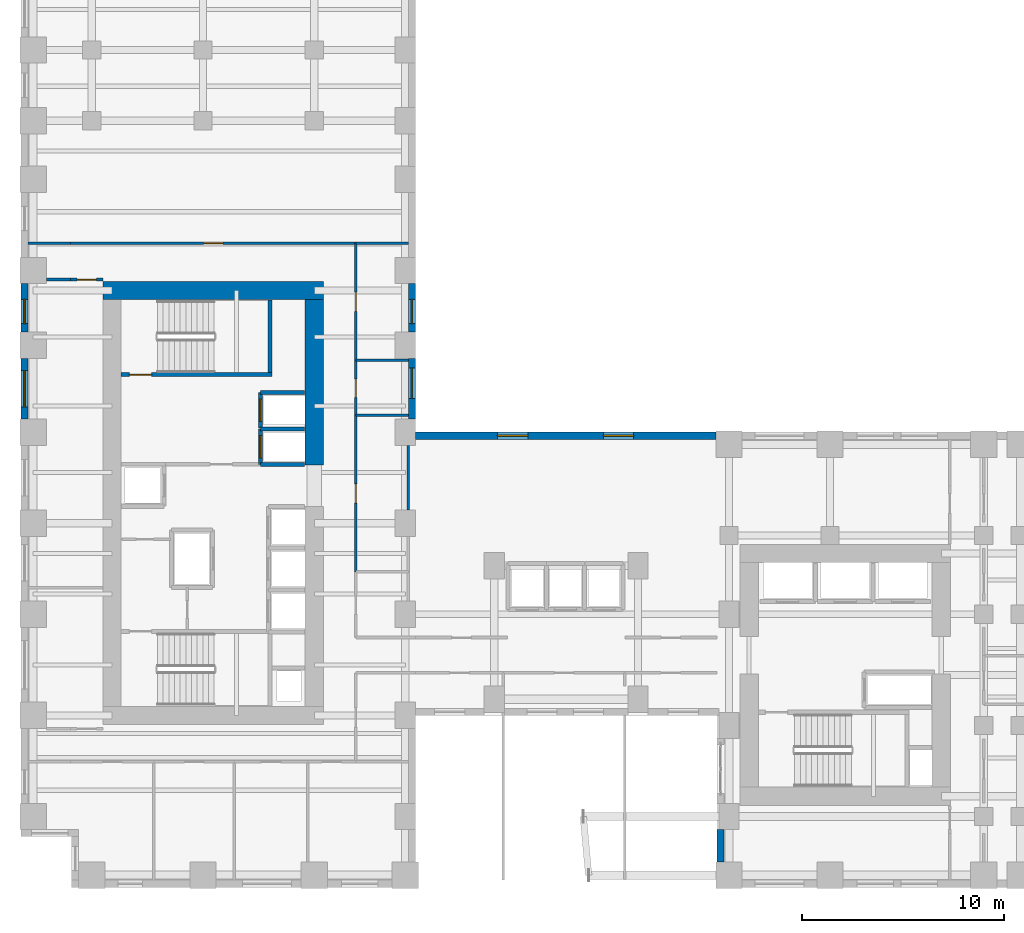
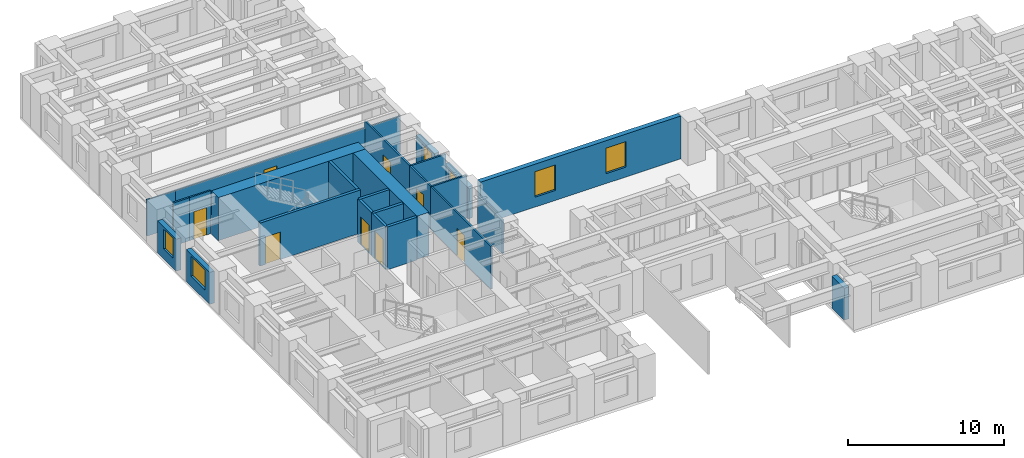
# One storey, part 9 of 14: 26 walls, 8 doors, 6 windows, 14 openings.
"""IFC4 building model written with IfcOpenShell, lengths in metres."""

from ifc_helpers import new_model, si_unit, direction, frame, frame_2d, origin, place, context, subcontext, project, spatial, rectangle, extrude, source, transform, mapped, material, layer, layer_set, type_object, element, fill, save


model = new_model("IFC4")

# Units and contexts
model_context = context("Model", 3, precision=1e-05, world=origin(), true_north=direction((0.0, 1.0)))
body_context = subcontext(model_context, "Body", "Model", "MODEL_VIEW")
ifc_project = project(units=[si_unit("LENGTHUNIT", "METRE"), si_unit("AREAUNIT", "SQUARE_METRE"), si_unit("VOLUMEUNIT", "CUBIC_METRE"), si_unit("PLANEANGLEUNIT", "RADIAN"), si_unit("MASSUNIT", "GRAM", prefix="KILO")], contexts=[model_context])

# Site, building, storey
site_placement = place(None, origin())
site = spatial("IfcSite", under=ifc_project, at=site_placement, CompositionType="ELEMENT")
building_placement = place(site_placement, origin())
building = spatial("IfcBuilding", under=site, at=building_placement, Name="Kharzan Plaza Tower", CompositionType="ELEMENT")
storey_placement = place(building_placement, frame((0.0, 0.0, 29.699951171875)))
storey = spatial("IfcBuildingStorey", under=building, at=storey_placement, Name="L07", CompositionType="ELEMENT", Elevation=29.699951171875)

# Wall, opening, window
ifc_material_1 = material(Name="Concrete C40/50", Category="concrete")
ifc_layer_1 = layer(ifc_material_1, 0.35009765625)
ifc_layer_set_1 = layer_set([ifc_layer_1], Name="Concrete C40/50")
wall_type_1 = type_object("IfcWallType", Name="WL-EXT-MAS-Z1", PredefinedType="SOLIDWALL", material=ifc_layer_set_1)
wall_1_placement = place(storey_placement, frame((0.175048828125, 29.85205078125, 0.0), z_axis=(0.0, 0.0, 1.0), x_axis=(0.0, -1.0, 0.0)))
wall_1 = element("IfcWall", 1, at=wall_1_placement, inside=storey, type_object=wall_type_1, Name="L07 Masonry-Frame Exterior Wall 14", PredefinedType="SOLIDWALL", context=body_context, shape_type="SweptSolid", body=[
    extrude(rectangle(XDim=2.404052734375, YDim=0.35009765625, at=frame_2d((1.2021484375, 0.0))), origin(), (0.0, 0.0, 1.0), 2.510009765625),
])
opening_1_placement = place(wall_1_placement, frame((0.786865234375, 0.0, 0.780029296875)))
opening_1 = element("IfcOpeningElement", 2, at=opening_1_placement, cuts=wall_1, Name="Opening W3", PredefinedType="OPENING", context=body_context, shape_type="SweptSolid", body=[
    extrude(rectangle(XDim=1.199951171875, YDim=1.550048828125, at=frame_2d((0.60009765625, 0.77490234375))), frame((0.0, 0.18505859375, 0.0), z_axis=(0.0, -1.0, 0.0), x_axis=(1.0, 0.0, 0.0)), (0.0, 0.0, 1.0), 0.3701171875),
])
ifc_material_2 = material(Name="Low-E Double Glazing", Category="glass")
window_type_1 = type_object("IfcWindowType", Name="WN-REC-1200x2100", PartitioningType="SINGLE_PANEL", PredefinedType="WINDOW", material=ifc_material_2)
shared_shape_1 = source(origin(), body_context, "Body", "SweptSolid", [
    extrude(rectangle(XDim=1.199951171875, YDim=1.550048828125, at=frame_2d((0.60009765625, 0.77490234375))), frame((0.0, 0.030029296875, 0.0), z_axis=(0.0, -1.0, 0.0), x_axis=(1.0, 0.0, 0.0)), (0.0, 0.0, 1.0), 0.06005859375),
])
window_1_placement = place(opening_1_placement, origin())
window_1 = element("IfcWindow", 3, at=window_1_placement, inside=storey, type_object=window_type_1, Name="L07 Recessed Solar-Control Window 14-1", OverallHeight=1.550048828125, OverallWidth=1.199951171875, PartitioningType="SINGLE_PANEL", PredefinedType="WINDOW", context=body_context, shape_type="MappedRepresentation", body=[
    mapped(shared_shape_1, transform((0.0, 0.0, 0.0), x_axis=(1.0, 0.0, 0.0), y_axis=(0.0, 1.0, 0.0), z_axis=(0.0, 0.0, 1.0))),
])
fill(opening_1, window_1)

wall_2_placement = place(storey_placement, frame((0.175048828125, 26.152099609375, 0.0), z_axis=(0.0, 0.0, 1.0), x_axis=(0.0, -1.0, 0.0)))
wall_2 = element("IfcWall", 4, at=wall_2_placement, inside=storey, type_object=wall_type_1, Name="L07 Masonry-Frame Exterior Wall 15", PredefinedType="SOLIDWALL", context=body_context, shape_type="SweptSolid", body=[
    extrude(rectangle(XDim=3.004150390625, YDim=0.35009765625, at=frame_2d((1.501953125, 0.0))), origin(), (0.0, 0.0, 1.0), 2.510009765625),
])
opening_2_placement = place(wall_2_placement, frame((0.60205078125, 0.0, 0.780029296875)))
opening_2 = element("IfcOpeningElement", 5, at=opening_2_placement, cuts=wall_2, Name="Opening W1", PredefinedType="OPENING", context=body_context, shape_type="SweptSolid", body=[
    extrude(rectangle(XDim=1.800048828125, YDim=1.550048828125, at=frame_2d((0.89990234375, 0.77490234375))), frame((0.0, 0.18505859375, 0.0), z_axis=(0.0, -1.0, 0.0), x_axis=(1.0, 0.0, 0.0)), (0.0, 0.0, 1.0), 0.3701171875),
])
window_type_2 = type_object("IfcWindowType", Name="WN-REC-1800x2100", PartitioningType="SINGLE_PANEL", PredefinedType="WINDOW", material=ifc_material_2)
shared_shape_2 = source(origin(), body_context, "Body", "SweptSolid", [
    extrude(rectangle(XDim=1.800048828125, YDim=1.550048828125, at=frame_2d((0.89990234375, 0.77490234375))), frame((0.0, 0.030029296875, 0.0), z_axis=(0.0, -1.0, 0.0), x_axis=(1.0, 0.0, 0.0)), (0.0, 0.0, 1.0), 0.06005859375),
])
window_2_placement = place(opening_2_placement, origin())
window_2 = element("IfcWindow", 6, at=window_2_placement, inside=storey, type_object=window_type_2, Name="L07 Recessed Solar-Control Window 15-1", OverallHeight=1.550048828125, OverallWidth=1.800048828125, PartitioningType="SINGLE_PANEL", PredefinedType="WINDOW", context=body_context, shape_type="MappedRepresentation", body=[
    mapped(shared_shape_2, transform((0.0, 0.0, 0.0), x_axis=(1.0, 0.0, 0.0), y_axis=(0.0, 1.0, 0.0), z_axis=(0.0, 0.0, 1.0))),
])
fill(opening_2, window_2)

# Wall, openings, windows
wall_3_placement = place(storey_placement, frame((34.35205078125, 22.324951171875, 0.0), z_axis=(0.0, 0.0, 1.0), x_axis=(-1.0, 0.0, 0.0)))
wall_3 = element("IfcWall", 7, at=wall_3_placement, inside=storey, type_object=wall_type_1, Name="L07 Masonry-Frame Exterior Wall 54", PredefinedType="SOLIDWALL", context=body_context, shape_type="SweptSolid", body=[
    extrude(rectangle(XDim=14.85400390625, YDim=0.35009765625, at=frame_2d((7.427001953125, 0.0))), origin(), (0.0, 0.0, 1.0), 3.364990234375),
])
opening_3_placement = place(wall_3_placement, frame((4.05810546875, 0.0, 0.780029296875)))
opening_3 = element("IfcOpeningElement", 8, at=opening_3_placement, cuts=wall_3, Name="Opening W5", PredefinedType="OPENING", context=body_context, shape_type="SweptSolid", body=[
    extrude(rectangle(XDim=1.5, YDim=2.0, at=frame_2d((0.75, 1.0))), frame((0.0, 0.18505859375, 0.0), z_axis=(0.0, -1.0, 0.0), x_axis=(1.0, 0.0, 0.0)), (0.0, 0.0, 1.0), 0.3701171875),
])
opening_4_placement = place(wall_3_placement, frame((9.2958984375, 0.0, 0.780029296875)))
opening_4 = element("IfcOpeningElement", 9, at=opening_4_placement, cuts=wall_3, Name="Opening W5", PredefinedType="OPENING", context=body_context, shape_type="SweptSolid", body=[
    extrude(rectangle(XDim=1.5, YDim=2.0, at=frame_2d((0.75, 1.0))), frame((0.0, 0.18505859375, 0.0), z_axis=(0.0, -1.0, 0.0), x_axis=(1.0, 0.0, 0.0)), (0.0, 0.0, 1.0), 0.3701171875),
])
window_type_3 = type_object("IfcWindowType", Name="WN-SLT-1500x2000", PartitioningType="SINGLE_PANEL", PredefinedType="WINDOW", material=ifc_material_2)
shared_shape_3 = source(origin(), body_context, "Body", "SweptSolid", [
    extrude(rectangle(XDim=1.5, YDim=2.0, at=frame_2d((0.75, 1.0))), frame((0.0, 0.030029296875, 0.0), z_axis=(0.0, -1.0, 0.0), x_axis=(1.0, 0.0, 0.0)), (0.0, 0.0, 1.0), 0.06005859375),
])
window_3_placement = place(opening_3_placement, origin())
window_3 = element("IfcWindow", 10, at=window_3_placement, inside=storey, type_object=window_type_3, Name="L07 Recessed Solar-Control Window 54-1", OverallHeight=2.0, OverallWidth=1.5, PartitioningType="SINGLE_PANEL", PredefinedType="WINDOW", context=body_context, shape_type="MappedRepresentation", body=[
    mapped(shared_shape_3, transform((0.0, 0.0, 0.0), x_axis=(1.0, 0.0, 0.0), y_axis=(0.0, 1.0, 0.0), z_axis=(0.0, 0.0, 1.0))),
])
fill(opening_3, window_3)
window_4_placement = place(opening_4_placement, origin())
window_4 = element("IfcWindow", 11, at=window_4_placement, inside=storey, type_object=window_type_3, Name="L07 Recessed Solar-Control Window 54-2", OverallHeight=2.0, OverallWidth=1.5, PartitioningType="SINGLE_PANEL", PredefinedType="WINDOW", context=body_context, shape_type="MappedRepresentation", body=[
    mapped(shared_shape_3, transform((0.0, 0.0, 0.0), x_axis=(1.0, 0.0, 0.0), y_axis=(0.0, 1.0, 0.0), z_axis=(0.0, 0.0, 1.0))),
])
fill(opening_4, window_4)

# Wall, opening, window
wall_4_placement = place(storey_placement, frame((19.324951171875, 23.14794921875, 0.0), z_axis=(0.0, 0.0, 1.0), x_axis=(0.0, 1.0, 0.0)))
wall_4 = element("IfcWall", 12, at=wall_4_placement, inside=storey, type_object=wall_type_1, Name="L07 Masonry-Frame Exterior Wall 55", PredefinedType="SOLIDWALL", context=body_context, shape_type="SweptSolid", body=[
    extrude(rectangle(XDim=3.004150390625, YDim=0.35009765625, at=frame_2d((1.501953125, 0.0))), origin(), (0.0, 0.0, 1.0), 2.510009765625),
])
opening_5_placement = place(wall_4_placement, frame((1.030517578125, 0.0, 0.780029296875)))
opening_5 = element("IfcOpeningElement", 13, at=opening_5_placement, cuts=wall_4, Name="Opening W5", PredefinedType="OPENING", context=body_context, shape_type="SweptSolid", body=[
    extrude(rectangle(XDim=1.5, YDim=1.550048828125, at=frame_2d((0.75, 0.77490234375))), frame((0.0, 0.18505859375, 0.0), z_axis=(0.0, -1.0, 0.0), x_axis=(1.0, 0.0, 0.0)), (0.0, 0.0, 1.0), 0.3701171875),
])
shared_shape_4 = source(origin(), body_context, "Body", "SweptSolid", [
    extrude(rectangle(XDim=1.5, YDim=1.550048828125, at=frame_2d((0.75, 0.77490234375))), frame((0.0, 0.030029296875, 0.0), z_axis=(0.0, -1.0, 0.0), x_axis=(1.0, 0.0, 0.0)), (0.0, 0.0, 1.0), 0.06005859375),
])
window_5_placement = place(opening_5_placement, origin())
window_5 = element("IfcWindow", 14, at=window_5_placement, inside=storey, type_object=window_type_3, Name="L07 Recessed Solar-Control Window 55-1", OverallHeight=1.550048828125, OverallWidth=1.5, PartitioningType="SINGLE_PANEL", PredefinedType="WINDOW", context=body_context, shape_type="MappedRepresentation", body=[
    mapped(shared_shape_4, transform((0.0, 0.0, 0.0), x_axis=(1.0, 0.0, 0.0), y_axis=(0.0, 1.0, 0.0), z_axis=(0.0, 0.0, 1.0))),
])
fill(opening_5, window_5)

wall_5_placement = place(storey_placement, frame((19.324951171875, 27.447998046875, 0.0), z_axis=(0.0, 0.0, 1.0), x_axis=(0.0, 1.0, 0.0)))
wall_5 = element("IfcWall", 15, at=wall_5_placement, inside=storey, type_object=wall_type_1, Name="L07 Masonry-Frame Exterior Wall 56", PredefinedType="SOLIDWALL", context=body_context, shape_type="SweptSolid", body=[
    extrude(rectangle(XDim=2.404052734375, YDim=0.35009765625, at=frame_2d((1.2021484375, 0.0))), origin(), (0.0, 0.0, 1.0), 2.510009765625),
])
opening_6_placement = place(wall_5_placement, frame((0.417236328125, 0.0, 0.780029296875)))
opening_6 = element("IfcOpeningElement", 16, at=opening_6_placement, cuts=wall_5, Name="Opening W3", PredefinedType="OPENING", context=body_context, shape_type="SweptSolid", body=[
    extrude(rectangle(XDim=1.199951171875, YDim=1.550048828125, at=frame_2d((0.60009765625, 0.77490234375))), frame((0.0, 0.18505859375, 0.0), z_axis=(0.0, -1.0, 0.0), x_axis=(1.0, 0.0, 0.0)), (0.0, 0.0, 1.0), 0.3701171875),
])
window_6_placement = place(opening_6_placement, origin())
window_6 = element("IfcWindow", 17, at=window_6_placement, inside=storey, type_object=window_type_1, Name="L07 Recessed Solar-Control Window 56-1", OverallHeight=1.550048828125, OverallWidth=1.199951171875, PartitioningType="SINGLE_PANEL", PredefinedType="WINDOW", context=body_context, shape_type="MappedRepresentation", body=[
    mapped(shared_shape_1, transform((0.0, 0.0, 0.0), x_axis=(1.0, 0.0, 0.0), y_axis=(0.0, 1.0, 0.0), z_axis=(0.0, 0.0, 1.0))),
])
fill(opening_6, window_6)

# Wall, opening, door
ifc_material_3 = material(Name="Fire-Rated Gypsum Board Partition", Category="gypsum")
ifc_layer_2 = layer(ifc_material_3, 0.125)
ifc_layer_set_2 = layer_set([ifc_layer_2], Name="Fire-Rated Gypsum Board Partition")
wall_type_2 = type_object("IfcWallType", Name="WL-INT-PART-125", PredefinedType="PARTITIONING", material=ifc_layer_set_2)
wall_6_placement = place(storey_placement, frame((16.550048828125, 15.60009765625, 0.0), z_axis=(0.0, 0.0, 1.0), x_axis=(0.0, 1.0, 0.0)))
wall_6 = element("IfcWall", 18, at=wall_6_placement, inside=storey, type_object=wall_type_2, Name="L07 Interior Partition SH-AEWN2", PredefinedType="PARTITIONING", context=body_context, shape_type="SweptSolid", body=[
    extrude(rectangle(XDim=7.75, YDim=0.125, at=frame_2d((3.875, 0.0))), origin(), (0.0, 0.0, 1.0), 3.364990234375),
])
opening_7_placement = place(wall_6_placement, frame((3.39990234375, 0.0, 0.0)))
opening_7 = element("IfcOpeningElement", 19, at=opening_7_placement, cuts=wall_6, Name="Opening OD1", PredefinedType="OPENING", context=body_context, shape_type="SweptSolid", body=[
    extrude(rectangle(XDim=0.949951171875, YDim=2.14990234375, at=frame_2d((0.47509765625, 1.074951171875))), frame((0.0, 0.072509765625, 0.0), z_axis=(0.0, -1.0, 0.0), x_axis=(1.0, 0.0, 0.0)), (0.0, 0.0, 1.0), 0.14501953125),
])
ifc_material_4 = material(Name="Acoustic Solid-Core Stained Oak", Category="timber")
door_type_1 = type_object("IfcDoorType", Name="DR-OFF-SINGLE", OperationType="NOTDEFINED", PredefinedType="DOOR", material=ifc_material_4)
shared_shape_5 = source(origin(), body_context, "Body", "SweptSolid", [
    extrude(rectangle(XDim=0.949951171875, YDim=2.14990234375, at=frame_2d((0.47509765625, 1.074951171875))), frame((0.0, 0.02490234375, 0.0), z_axis=(0.0, -1.0, 0.0), x_axis=(1.0, 0.0, 0.0)), (0.0, 0.0, 1.0), 0.050048828125),
])
door_1_placement = place(opening_7_placement, origin())
door_1 = element("IfcDoor", 20, at=door_1_placement, inside=storey, type_object=door_type_1, Name="L07 Slot Studio Door", OperationType="SINGLE_SWING_RIGHT", OverallHeight=2.14990234375, OverallWidth=0.949951171875, PredefinedType="DOOR", context=body_context, shape_type="MappedRepresentation", body=[
    mapped(shared_shape_5, transform((0.0, 0.0, 0.0), x_axis=(1.0, 0.0, 0.0), y_axis=(0.0, 1.0, 0.0), z_axis=(0.0, 0.0, 1.0))),
])
fill(opening_7, door_1)

wall_7_placement = place(storey_placement, frame((16.550048828125, 26.050048828125, 0.0), z_axis=(0.0, 0.0, 1.0), x_axis=(0.0, 1.0, 0.0)))
wall_7 = element("IfcWall", 21, at=wall_7_placement, inside=storey, type_object=wall_type_2, Name="L07 Interior Partition SH-AEWN3", PredefinedType="PARTITIONING", context=body_context, shape_type="SweptSolid", body=[
    extrude(rectangle(XDim=5.800048828125, YDim=0.125, at=frame_2d((2.89990234375, 0.0))), origin(), (0.0, 0.0, 1.0), 3.364990234375),
])
opening_8_placement = place(wall_7_placement, frame((2.425048828125, 0.0, 0.0)))
opening_8 = element("IfcOpeningElement", 22, at=opening_8_placement, cuts=wall_7, Name="Opening OD1", PredefinedType="OPENING", context=body_context, shape_type="SweptSolid", body=[
    extrude(rectangle(XDim=0.949951171875, YDim=2.14990234375, at=frame_2d((0.47509765625, 1.074951171875))), frame((0.0, 0.072509765625, 0.0), z_axis=(0.0, -1.0, 0.0), x_axis=(1.0, 0.0, 0.0)), (0.0, 0.0, 1.0), 0.14501953125),
])
door_2_placement = place(opening_8_placement, origin())
door_2 = element("IfcDoor", 23, at=door_2_placement, inside=storey, type_object=door_type_1, Name="L07 Staff Tea Point Door", OperationType="SINGLE_SWING_RIGHT", OverallHeight=2.14990234375, OverallWidth=0.949951171875, PredefinedType="DOOR", context=body_context, shape_type="MappedRepresentation", body=[
    mapped(shared_shape_5, transform((0.0, 0.0, 0.0), x_axis=(1.0, 0.0, 0.0), y_axis=(0.0, 1.0, 0.0), z_axis=(0.0, 0.0, 1.0))),
])
fill(opening_8, door_2)

wall_8_placement = place(storey_placement, frame((16.550048828125, 23.35009765625, 0.0), z_axis=(0.0, 0.0, 1.0), x_axis=(0.0, 1.0, 0.0)))
wall_8 = element("IfcWall", 24, at=wall_8_placement, inside=storey, type_object=wall_type_2, Name="L07 Interior Partition SH-AEWW", PredefinedType="PARTITIONING", context=body_context, shape_type="SweptSolid", body=[
    extrude(rectangle(XDim=2.699951171875, YDim=0.125, at=frame_2d((1.35009765625, 0.0))), origin(), (0.0, 0.0, 1.0), 3.364990234375),
])
opening_9_placement = place(wall_8_placement, frame((0.875, 0.0, 0.0)))
opening_9 = element("IfcOpeningElement", 25, at=opening_9_placement, cuts=wall_8, Name="Opening WD1", PredefinedType="OPENING", context=body_context, shape_type="SweptSolid", body=[
    extrude(rectangle(XDim=0.89990234375, YDim=2.14990234375, at=frame_2d((0.449951171875, 1.074951171875))), frame((0.0, 0.072509765625, 0.0), z_axis=(0.0, -1.0, 0.0), x_axis=(1.0, 0.0, 0.0)), (0.0, 0.0, 1.0), 0.14501953125),
])
ifc_material_5 = material(Name="Moisture-Resistant Fire-Rated Laminate", Category="timber")
door_type_2 = type_object("IfcDoorType", Name="DR-WC-900", OperationType="NOTDEFINED", PredefinedType="DOOR", material=ifc_material_5)
shared_shape_6 = source(origin(), body_context, "Body", "SweptSolid", [
    extrude(rectangle(XDim=0.89990234375, YDim=2.14990234375, at=frame_2d((0.449951171875, 1.074951171875))), frame((0.0, 0.02490234375, 0.0), z_axis=(0.0, -1.0, 0.0), x_axis=(1.0, 0.0, 0.0)), (0.0, 0.0, 1.0), 0.050048828125),
])
door_3_placement = place(opening_9_placement, origin())
door_3 = element("IfcDoor", 26, at=door_3_placement, inside=storey, type_object=door_type_2, Name="L07 Wing A Washroom Door", OperationType="SINGLE_SWING_LEFT", OverallHeight=2.14990234375, OverallWidth=0.89990234375, PredefinedType="DOOR", context=body_context, shape_type="MappedRepresentation", body=[
    mapped(shared_shape_6, transform((0.0, 0.0, 0.0), x_axis=(1.0, 0.0, 0.0), y_axis=(0.0, 1.0, 0.0), z_axis=(0.0, 0.0, 1.0))),
])
fill(opening_9, door_3)

wall_9_placement = place(storey_placement, frame((2.449951171875, 31.85009765625, 0.0), z_axis=(0.0, 0.0, 1.0), x_axis=(1.0, 0.0, 0.0)))
wall_9 = element("IfcWall", 27, at=wall_9_placement, inside=storey, type_object=wall_type_2, Name="L07 Interior Partition SH-NN-1", PredefinedType="PARTITIONING", context=body_context, shape_type="SweptSolid", body=[
    extrude(rectangle(XDim=14.10009765625, YDim=0.125, at=frame_2d((7.050048828125, 0.0))), origin(), (0.0, 0.0, 1.0), 2.828125),
])
opening_10_placement = place(wall_9_placement, frame((6.574951171875, 0.0, 0.0)))
opening_10 = element("IfcOpeningElement", 28, at=opening_10_placement, cuts=wall_9, Name="Opening OD1", PredefinedType="OPENING", context=body_context, shape_type="SweptSolid", body=[
    extrude(rectangle(XDim=0.949951171875, YDim=2.14990234375, at=frame_2d((0.47509765625, 1.074951171875))), frame((0.0, 0.072509765625, 0.0), z_axis=(0.0, -1.0, 0.0), x_axis=(1.0, 0.0, 0.0)), (0.0, 0.0, 1.0), 0.14501953125),
])
door_4_placement = place(opening_10_placement, origin())
door_4 = element("IfcDoor", 29, at=door_4_placement, inside=storey, type_object=door_type_1, Name="L07 Executive Boardroom Door", OperationType="SINGLE_SWING_LEFT", OverallHeight=2.14990234375, OverallWidth=0.949951171875, PredefinedType="DOOR", context=body_context, shape_type="MappedRepresentation", body=[
    mapped(shared_shape_5, transform((0.0, 0.0, 0.0), x_axis=(1.0, 0.0, 0.0), y_axis=(0.0, 1.0, 0.0), z_axis=(0.0, 0.0, 1.0))),
])
fill(opening_10, door_4)

wall_10_placement = place(storey_placement, frame((2.449951171875, 30.050048828125, 0.0), z_axis=(0.0, 0.0, 1.0), x_axis=(1.0, 0.0, 0.0)))
wall_10 = element("IfcWall", 30, at=wall_10_placement, inside=storey, type_object=wall_type_2, Name="L07 Interior Partition SH-RWND", PredefinedType="PARTITIONING", context=body_context, shape_type="SweptSolid", body=[
    extrude(rectangle(XDim=1.60009765625, YDim=0.125, at=frame_2d((0.800048828125, 0.0))), origin(), (0.0, 0.0, 1.0), 3.364990234375),
])
opening_11_placement = place(wall_10_placement, frame((0.324951171875, 0.0, 0.0)))
opening_11 = element("IfcOpeningElement", 31, at=opening_11_placement, cuts=wall_10, Name="Opening OD1", PredefinedType="OPENING", context=body_context, shape_type="SweptSolid", body=[
    extrude(rectangle(XDim=0.949951171875, YDim=2.14990234375, at=frame_2d((0.47509765625, 1.074951171875))), frame((0.0, 0.072509765625, 0.0), z_axis=(0.0, -1.0, 0.0), x_axis=(1.0, 0.0, 0.0)), (0.0, 0.0, 1.0), 0.14501953125),
])
door_5_placement = place(opening_11_placement, origin())
door_5 = element("IfcDoor", 32, at=door_5_placement, inside=storey, type_object=door_type_1, Name="L07 West Office 2 Door", OperationType="SINGLE_SWING_RIGHT", OverallHeight=2.14990234375, OverallWidth=0.949951171875, PredefinedType="DOOR", context=body_context, shape_type="MappedRepresentation", body=[
    mapped(shared_shape_5, transform((0.0, 0.0, 0.0), x_axis=(1.0, 0.0, 0.0), y_axis=(0.0, 1.0, 0.0), z_axis=(0.0, 0.0, 1.0))),
])
fill(opening_11, door_5)

ifc_layer_3 = layer(ifc_material_1, 0.199951171875)
ifc_layer_set_3 = layer_set([ifc_layer_3], Name="Concrete C40/50")
wall_type_3 = type_object("IfcWallType", Name="WL-INT-SHAFT-200", PredefinedType="PARTITIONING", material=ifc_layer_set_3)
wall_11_placement = place(storey_placement, frame((11.830078125, 20.89990234375, 0.0), z_axis=(0.0, 0.0, 1.0), x_axis=(0.0, 1.0, 0.0)))
wall_11 = element("IfcWall", 33, at=wall_11_placement, inside=storey, type_object=wall_type_3, Name="L07 Interior Partition SHF-FFL-1-W", PredefinedType="PARTITIONING", context=body_context, shape_type="SweptSolid", body=[
    extrude(rectangle(XDim=1.760009765625, YDim=0.199951171875, at=frame_2d((0.8798828125, 0.0))), origin(), (0.0, 0.0, 1.0), 3.364990234375),
])
opening_12_placement = place(wall_11_placement, frame((0.330078125, 0.0, 0.0)))
opening_12 = element("IfcOpeningElement", 34, at=opening_12_placement, cuts=wall_11, Name="Opening LD", PredefinedType="OPENING", context=body_context, shape_type="SweptSolid", body=[
    extrude(rectangle(XDim=1.10009765625, YDim=2.199951171875, at=frame_2d((0.550048828125, 1.10009765625))), frame((0.0, 0.10986328125, 0.0), z_axis=(0.0, -1.0, 0.0), x_axis=(1.0, 0.0, 0.0)), (0.0, 0.0, 1.0), 0.219970703125),
])
ifc_material_6 = material(Name="Brushed Stainless Steel", Category="steel")
door_type_3 = type_object("IfcDoorType", Name="DR-LIFT-SLIDE", OperationType="SLIDING_TO_LEFT", PredefinedType="DOOR", material=ifc_material_6)
shared_shape_7 = source(origin(), body_context, "Body", "SweptSolid", [
    extrude(rectangle(XDim=1.10009765625, YDim=2.199951171875, at=frame_2d((0.550048828125, 1.10009765625))), frame((0.0, 0.02490234375, 0.0), z_axis=(0.0, -1.0, 0.0), x_axis=(1.0, 0.0, 0.0)), (0.0, 0.0, 1.0), 0.050048828125),
])
door_6_placement = place(opening_12_placement, origin())
door_6 = element("IfcDoor", 35, at=door_6_placement, inside=storey, type_object=door_type_3, Name="L07 Firefighting Lift FFL-1 Sliding Landing Door", OperationType="SLIDING_TO_LEFT", OverallHeight=2.199951171875, OverallWidth=1.10009765625, PredefinedType="DOOR", context=body_context, shape_type="MappedRepresentation", body=[
    mapped(shared_shape_7, transform((0.0, 0.0, 0.0), x_axis=(1.0, 0.0, 0.0), y_axis=(0.0, 1.0, 0.0), z_axis=(0.0, 0.0, 1.0))),
])
fill(opening_12, door_6)

wall_12_placement = place(storey_placement, frame((11.830078125, 22.699951171875, 0.0), z_axis=(0.0, 0.0, 1.0), x_axis=(0.0, 1.0, 0.0)))
wall_12 = element("IfcWall", 36, at=wall_12_placement, inside=storey, type_object=wall_type_3, Name="L07 Interior Partition SHF-FFL-2-W", PredefinedType="PARTITIONING", context=body_context, shape_type="SweptSolid", body=[
    extrude(rectangle(XDim=1.760009765625, YDim=0.199951171875, at=frame_2d((0.8798828125, 0.0))), origin(), (0.0, 0.0, 1.0), 3.364990234375),
])
opening_13_placement = place(wall_12_placement, frame((0.330078125, 0.0, 0.0)))
opening_13 = element("IfcOpeningElement", 37, at=opening_13_placement, cuts=wall_12, Name="Opening LD", PredefinedType="OPENING", context=body_context, shape_type="SweptSolid", body=[
    extrude(rectangle(XDim=1.10009765625, YDim=2.199951171875, at=frame_2d((0.550048828125, 1.10009765625))), frame((0.0, 0.10986328125, 0.0), z_axis=(0.0, -1.0, 0.0), x_axis=(1.0, 0.0, 0.0)), (0.0, 0.0, 1.0), 0.219970703125),
])
door_7_placement = place(opening_13_placement, origin())
door_7 = element("IfcDoor", 38, at=door_7_placement, inside=storey, type_object=door_type_3, Name="L07 Firefighting Lift FFL-2 Sliding Landing Door", OperationType="SLIDING_TO_LEFT", OverallHeight=2.199951171875, OverallWidth=1.10009765625, PredefinedType="DOOR", context=body_context, shape_type="MappedRepresentation", body=[
    mapped(shared_shape_7, transform((0.0, 0.0, 0.0), x_axis=(1.0, 0.0, 0.0), y_axis=(0.0, 1.0, 0.0), z_axis=(0.0, 0.0, 1.0))),
])
fill(opening_13, door_7)

ifc_material_7 = material(Name="Concrete C50/60", Category="concrete")
ifc_layer_4 = layer(ifc_material_7, 0.199951171875)
ifc_layer_set_4 = layer_set([ifc_layer_4], Name="Concrete C50/60")
wall_type_4 = type_object("IfcWallType", Name="WL-SHAFT-RC200", PredefinedType="SHEAR", material=ifc_layer_set_4)
wall_13_placement = place(storey_placement, frame((4.951904296875, 25.344970703125, 0.0), z_axis=(0.0, 0.0, 1.0), x_axis=(1.0, 0.0, 0.0)))
wall_13 = element("IfcWall", 39, at=wall_13_placement, inside=storey, type_object=wall_type_4, Name="L07 Stair ST-2 South RC Shaft Wall", PredefinedType="SHEAR", context=body_context, shape_type="SweptSolid", body=[
    extrude(rectangle(XDim=7.453125, YDim=0.199951171875, at=frame_2d((3.7265625, 0.0))), origin(), (0.0, 0.0, 1.0), 3.380126953125),
])
opening_14_placement = place(wall_13_placement, frame((0.39990234375, 0.0, 0.0)))
opening_14 = element("IfcOpeningElement", 40, at=opening_14_placement, cuts=wall_13, Name="Opening SD1", PredefinedType="OPENING", context=body_context, shape_type="SweptSolid", body=[
    extrude(rectangle(XDim=1.10009765625, YDim=2.14990234375, at=frame_2d((0.550048828125, 1.074951171875))), frame((0.0, 0.10986328125, 0.0), z_axis=(0.0, -1.0, 0.0), x_axis=(1.0, 0.0, 0.0)), (0.0, 0.0, 1.0), 0.219970703125),
])
ifc_material_8 = material(Name="Fire-Rated Hollow Galvanized Steel", Category="steel")
door_type_4 = type_object("IfcDoorType", Name="DR-STAIR-FD120", OperationType="NOTDEFINED", PredefinedType="DOOR", material=ifc_material_8)
shared_shape_8 = source(origin(), body_context, "Body", "SweptSolid", [
    extrude(rectangle(XDim=1.10009765625, YDim=2.14990234375, at=frame_2d((0.550048828125, 1.074951171875))), frame((0.0, 0.02490234375, 0.0), z_axis=(0.0, -1.0, 0.0), x_axis=(1.0, 0.0, 0.0)), (0.0, 0.0, 1.0), 0.050048828125),
])
door_8_placement = place(opening_14_placement, origin())
door_8 = element("IfcDoor", 41, at=door_8_placement, inside=storey, type_object=door_type_4, Name="L07 Stair ST-2 Fire Exit Door", OperationType="SINGLE_SWING_RIGHT", OverallHeight=2.14990234375, OverallWidth=1.10009765625, PredefinedType="DOOR", context=body_context, shape_type="MappedRepresentation", body=[
    mapped(shared_shape_8, transform((0.0, 0.0, 0.0), x_axis=(1.0, 0.0, 0.0), y_axis=(0.0, 1.0, 0.0), z_axis=(0.0, 0.0, 1.0))),
])
fill(opening_14, door_8)

# Walls
shared_shape_9 = source(origin(), body_context, "Body", "SweptSolid", [
    extrude(rectangle(XDim=1.60400390625, YDim=0.35009765625, at=frame_2d((0.802001953125, 0.0))), origin(), (0.0, 0.0, 1.0), 2.510009765625),
])
wall_14_placement = place(storey_placement, frame((34.574951171875, 2.85205078125, 0.0), z_axis=(0.0, 0.0, 1.0), x_axis=(0.0, -1.0, 0.0)))
element("IfcWall", 42, at=wall_14_placement, inside=storey, type_object=wall_type_1, Name="L07 Masonry-Frame Exterior Wall 33", PredefinedType="SOLIDWALL", context=body_context, shape_type="MappedRepresentation", body=[
    mapped(shared_shape_9, transform((0.0, 0.0, 0.0), x_axis=(1.0, 0.0, 0.0), y_axis=(0.0, 1.0, 0.0), z_axis=(0.0, 0.0, 1.0))),
])
shared_shape_10 = source(origin(), body_context, "Body", "SweptSolid", [
    extrude(rectangle(XDim=2.597900390625, YDim=0.125, at=frame_2d((1.298828125, 0.0))), origin(), (0.0, 0.0, 1.0), 3.364990234375),
])
for number, where, z_axis, x_axis, name in (
    (43, (16.550048828125, 23.35009765625, 0.0), (0.0, 0.0, 1.0), (1.0, 0.0, 0.0), "L07 Interior Partition SH-AEH-233"),
    (44, (16.550048828125, 26.050048828125, 0.0), (0.0, 0.0, 1.0), (1.0, 0.0, 0.0), "L07 Interior Partition SH-AEH-260"),
):
    element("IfcWall", number, at=place(storey_placement, frame(where, z_axis=z_axis, x_axis=x_axis)), inside=storey, type_object=wall_type_2, Name=name, PredefinedType="PARTITIONING", context=body_context, shape_type="MappedRepresentation", body=[
        mapped(shared_shape_10, transform((0.0, 0.0, 0.0), x_axis=(1.0, 0.0, 0.0), y_axis=(0.0, 1.0, 0.0), z_axis=(0.0, 0.0, 1.0))),
    ])
shared_shape_11 = source(origin(), body_context, "Body", "SweptSolid", [
    extrude(rectangle(XDim=1.18994140625, YDim=0.125, at=frame_2d((0.594970703125, 0.0))), origin(), (0.0, 0.0, 1.0), 3.364990234375),
])
wall_15_placement = place(storey_placement, frame((1.260009765625, 30.050048828125, 0.0), z_axis=(0.0, 0.0, 1.0), x_axis=(1.0, 0.0, 0.0)))
element("IfcWall", 45, at=wall_15_placement, inside=storey, type_object=wall_type_2, Name="L07 Interior Partition SH-RWN0", PredefinedType="PARTITIONING", context=body_context, shape_type="MappedRepresentation", body=[
    mapped(shared_shape_11, transform((0.0, 0.0, 0.0), x_axis=(1.0, 0.0, 0.0), y_axis=(0.0, 1.0, 0.0), z_axis=(0.0, 0.0, 1.0))),
])
shared_shape_12 = source(origin(), body_context, "Body", "SweptSolid", [
    extrude(rectangle(XDim=2.18994140625, YDim=0.199951171875, at=frame_2d((1.094970703125, 0.0))), origin(), (0.0, 0.0, 1.0), 3.364990234375),
])
for number, where, z_axis, x_axis, name in (
    (46, (11.830078125, 22.659912109375, 0.0), (0.0, 0.0, 1.0), (1.0, 0.0, 0.0), "L07 Interior Partition SHF-FFL-1-N"),
    (47, (11.830078125, 20.89990234375, 0.0), (0.0, 0.0, 1.0), (1.0, 0.0, 0.0), "L07 Interior Partition SHF-FFL-1-S"),
    (48, (11.830078125, 24.4599609375, 0.0), (0.0, 0.0, 1.0), (1.0, 0.0, 0.0), "L07 Interior Partition SHF-FFL-2-N"),
):
    element("IfcWall", number, at=place(storey_placement, frame(where, z_axis=z_axis, x_axis=x_axis)), inside=storey, type_object=wall_type_3, Name=name, PredefinedType="PARTITIONING", context=body_context, shape_type="MappedRepresentation", body=[
        mapped(shared_shape_12, transform((0.0, 0.0, 0.0), x_axis=(1.0, 0.0, 0.0), y_axis=(0.0, 1.0, 0.0), z_axis=(0.0, 0.0, 1.0))),
    ])
ifc_material_9 = material(Name="Concrete C60/75", Category="concrete")
ifc_layer_5 = layer(ifc_material_9, 0.89990234375)
ifc_layer_set_5 = layer_set([ifc_layer_5], Name="Concrete C60/75")
wall_type_5 = type_object("IfcWallType", Name="WL-CORE-900", PredefinedType="SHEAR", material=ifc_layer_set_5)
shared_shape_13 = source(origin(), body_context, "Body", "SweptSolid", [
    extrude(rectangle(XDim=8.170166015625, YDim=0.89990234375, at=frame_2d((4.0849609375, 0.0))), origin(), (0.0, 0.0, 1.0), 3.380126953125),
])
wall_16_placement = place(storey_placement, frame((14.5, 20.8798828125, 0.0), z_axis=(0.0, 0.0, 1.0), x_axis=(0.0, 1.0, 0.0)))
element("IfcWall", 49, at=wall_16_placement, inside=storey, type_object=wall_type_5, Name="L07 CORE-A east shear pier 2", PredefinedType="SHEAR", context=body_context, shape_type="MappedRepresentation", body=[
    mapped(shared_shape_13, transform((0.0, 0.0, 0.0), x_axis=(1.0, 0.0, 0.0), y_axis=(0.0, 1.0, 0.0), z_axis=(0.0, 0.0, 1.0))),
])
shared_shape_14 = source(origin(), body_context, "Body", "SweptSolid", [
    extrude(rectangle(XDim=10.89990234375, YDim=0.89990234375, at=frame_2d((5.449951171875, 0.0))), origin(), (0.0, 0.0, 1.0), 3.380126953125),
])
wall_17_placement = place(storey_placement, frame((4.050048828125, 29.5, 0.0), z_axis=(0.0, 0.0, 1.0), x_axis=(1.0, 0.0, 0.0)))
element("IfcWall", 50, at=wall_17_placement, inside=storey, type_object=wall_type_5, Name="L07 CORE-A north RC shear wall", PredefinedType="SHEAR", context=body_context, shape_type="MappedRepresentation", body=[
    mapped(shared_shape_14, transform((0.0, 0.0, 0.0), x_axis=(1.0, 0.0, 0.0), y_axis=(0.0, 1.0, 0.0), z_axis=(0.0, 0.0, 1.0))),
])
shared_shape_15 = source(origin(), body_context, "Body", "SweptSolid", [
    extrude(rectangle(XDim=3.18017578125, YDim=0.125, at=frame_2d((1.590087890625, 0.0))), origin(), (0.0, 0.0, 1.0), 2.670166015625),
])
wall_18_placement = place(storey_placement, frame((19.14990234375, 18.659912109375, 0.0), z_axis=(0.0, 0.0, 1.0), x_axis=(0.0, 1.0, 0.0)))
element("IfcWall", 51, at=wall_18_placement, inside=storey, type_object=wall_type_2, Name="L07 Interior Partition SH-AEN-DIV-S2", PredefinedType="PARTITIONING", context=body_context, shape_type="MappedRepresentation", body=[
    mapped(shared_shape_15, transform((0.0, 0.0, 0.0), x_axis=(1.0, 0.0, 0.0), y_axis=(0.0, 1.0, 0.0), z_axis=(0.0, 0.0, 1.0))),
])
shared_shape_16 = source(origin(), body_context, "Body", "SweptSolid", [
    extrude(rectangle(XDim=2.597900390625, YDim=0.125, at=frame_2d((1.298828125, 0.0))), origin(), (0.0, 0.0, 1.0), 2.828125),
])
wall_19_placement = place(storey_placement, frame((16.550048828125, 31.85009765625, 0.0), z_axis=(0.0, 0.0, 1.0), x_axis=(1.0, 0.0, 0.0)))
element("IfcWall", 52, at=wall_19_placement, inside=storey, type_object=wall_type_2, Name="L07 Interior Partition SH-NNE0", PredefinedType="PARTITIONING", context=body_context, shape_type="MappedRepresentation", body=[
    mapped(shared_shape_16, transform((0.0, 0.0, 0.0), x_axis=(1.0, 0.0, 0.0), y_axis=(0.0, 1.0, 0.0), z_axis=(0.0, 0.0, 1.0))),
])
shared_shape_17 = source(origin(), body_context, "Body", "SweptSolid", [
    extrude(rectangle(XDim=2.097900390625, YDim=0.125, at=frame_2d((1.048828125, 0.0))), origin(), (0.0, 0.0, 1.0), 2.828125),
])
wall_20_placement = place(storey_placement, frame((0.35205078125, 31.85009765625, 0.0), z_axis=(0.0, 0.0, 1.0), x_axis=(1.0, 0.0, 0.0)))
element("IfcWall", 53, at=wall_20_placement, inside=storey, type_object=wall_type_2, Name="L07 Interior Partition SH-NNW0", PredefinedType="PARTITIONING", context=body_context, shape_type="MappedRepresentation", body=[
    mapped(shared_shape_17, transform((0.0, 0.0, 0.0), x_axis=(1.0, 0.0, 0.0), y_axis=(0.0, 1.0, 0.0), z_axis=(0.0, 0.0, 1.0))),
])
shared_shape_18 = source(origin(), body_context, "Body", "SweptSolid", [
    extrude(rectangle(XDim=3.60302734375, YDim=0.199951171875, at=frame_2d((1.801513671875, 0.0))), origin(), (0.0, 0.0, 1.0), 3.380126953125),
])
wall_21_placement = place(storey_placement, frame((12.304931640625, 25.445068359375, 0.0), z_axis=(0.0, 0.0, 1.0), x_axis=(0.0, 1.0, 0.0)))
element("IfcWall", 54, at=wall_21_placement, inside=storey, type_object=wall_type_4, Name="L07 Stair ST-2 East RC Shaft Wall", PredefinedType="SHEAR", context=body_context, shape_type="MappedRepresentation", body=[
    mapped(shared_shape_18, transform((0.0, 0.0, 0.0), x_axis=(1.0, 0.0, 0.0), y_axis=(0.0, 1.0, 0.0), z_axis=(0.0, 0.0, 1.0))),
])

save(model, "model.ifc")
